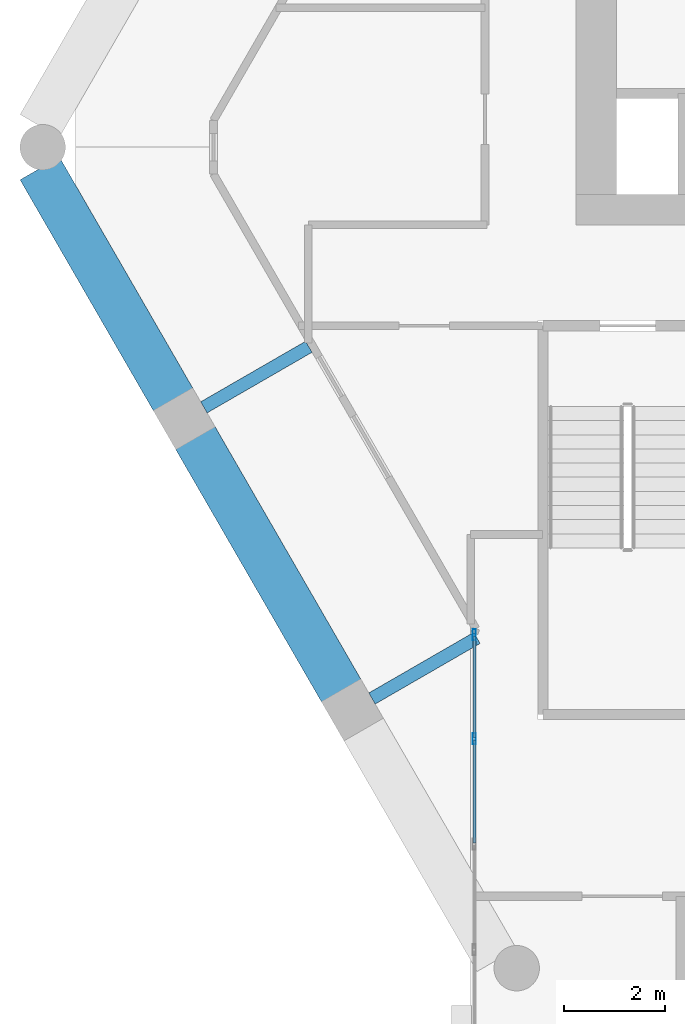
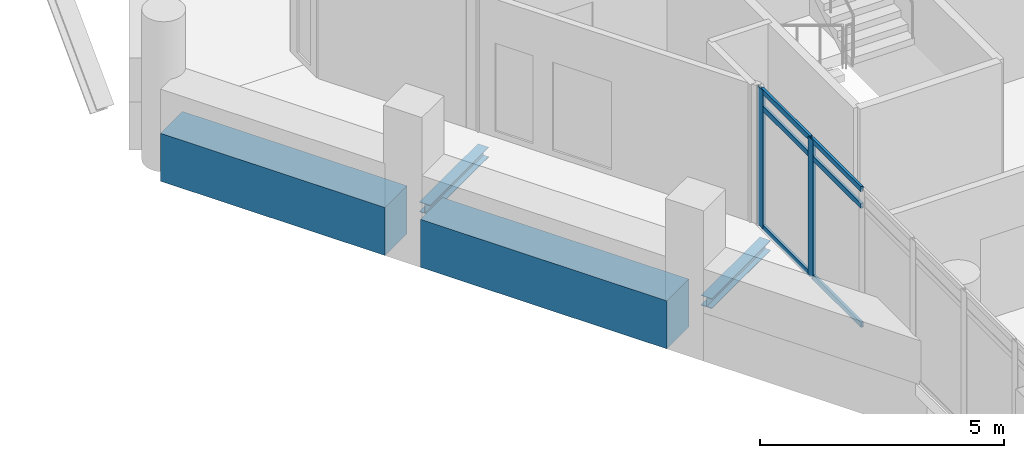
# One storey, part 13 of 34: 8 members, 4 beams, 1 element without a shape of its own.
"""IFC4 building model written with IfcOpenShell, lengths in metres."""

from ifc_helpers import new_model, si_unit, direction, frame, origin, origin_2d, place, context, subcontext, project, spatial, rectangle, hollow_rectangle, i_section, extrude, material, material_profile, profile_set, type_object, element, aggregate, save


model = new_model("IFC4")

# Units and contexts
model_context = context("Model", 3, precision=1e-05, world=origin(), true_north=direction((0.0, 1.0)))
body_context = subcontext(model_context, "Body", "Model", "MODEL_VIEW")
ifc_project = project(units=[si_unit("LENGTHUNIT", "METRE"), si_unit("AREAUNIT", "SQUARE_METRE"), si_unit("VOLUMEUNIT", "CUBIC_METRE"), si_unit("PLANEANGLEUNIT", "RADIAN"), si_unit("MASSUNIT", "GRAM", prefix="KILO")], contexts=[model_context])

# Site, building, storey
site_placement = place(None, origin())
site = spatial("IfcSite", under=ifc_project, at=site_placement, CompositionType="ELEMENT")
building_placement = place(site_placement, origin())
building = spatial("IfcBuilding", under=site, at=building_placement, Name="Ostrander Bayou Hotel Tower", CompositionType="ELEMENT")
storey_placement = place(building_placement, frame((0.0, 0.0, 222.0)))
storey = spatial("IfcBuildingStorey", under=building, at=storey_placement, Name="L55", CompositionType="ELEMENT", Elevation=222.0)

# Curtain wall, members
ifc_material_1 = material(Name="Aluminium and clear glass", Category="aluminium")
curtain_wall_type = type_object("IfcCurtainWallType", Name="CW-BAR glazed wall", PredefinedType="NOTDEFINED", material=ifc_material_1)
curtain_wall_placement = place(storey_placement, origin())
curtain_wall = element("IfcCurtainWall", 1, at=curtain_wall_placement, inside=storey, type_object=curtain_wall_type, Name="CW-BAR L55:SB5S:E", PredefinedType="NOTDEFINED")
ifc_material_2 = material(Name="Aluminium", Category="aluminium")
ifc_material_profile_1 = material_profile(ifc_material_2, hollow_rectangle(XDim=0.06005859375, YDim=0.219970703125, WallThickness=0.00390625, at=origin_2d()))
ifc_profile_set_1 = profile_set([ifc_material_profile_1], Name="Aluminium")
member_type_1 = type_object("IfcMemberType", Name="CW-BR mullion 60 x 220 mm", PredefinedType="MULLION", material=ifc_profile_set_1)
member_1_placement = place(storey_placement, frame((-10.51220703125, -9.822265625, 0.0), z_axis=(0.0, 0.0, 1.0), x_axis=(1.0, 0.0, 0.0)))
member_1 = element("IfcMember", 2, at=member_1_placement, type_object=member_type_1, Name="CW-BAR mullion 1", PredefinedType="MULLION", context=body_context, shape_type="SweptSolid", body=[
    extrude(hollow_rectangle(XDim=0.06005859375, YDim=0.219970703125, WallThickness=0.00390625, at=origin_2d()), origin(), (0.0, 0.0, 1.0), 3.449951171875),
])
member_2_placement = place(storey_placement, frame((-10.51220703125, -11.88232421875, 0.0), z_axis=(0.0, 0.0, 1.0), x_axis=(1.0, 0.0, 0.0)))
member_2 = element("IfcMember", 3, at=member_2_placement, type_object=member_type_1, Name="CW-BAR mullion 2", PredefinedType="MULLION", context=body_context, shape_type="SweptSolid", body=[
    extrude(hollow_rectangle(XDim=0.06005859375, YDim=0.219970703125, WallThickness=0.00390625, at=origin_2d()), origin(), (0.0, 0.0, 1.0), 3.449951171875),
])
ifc_material_3 = material(Name="Aluminium", Category="aluminium")
ifc_material_profile_2 = material_profile(ifc_material_3, hollow_rectangle(XDim=0.06005859375, YDim=0.1298828125, WallThickness=0.00390625, at=origin_2d()))
ifc_profile_set_2 = profile_set([ifc_material_profile_2], Name="Aluminium")
member_type_2 = type_object("IfcMemberType", Name="CW-BR transom 60 x 130 mm", PredefinedType="USERDEFINED", material=ifc_profile_set_2)
member_3_placement = place(storey_placement, frame((-10.51220703125, -9.852294921875, 0.030029296875), z_axis=(0.0, -1.0, 0.0), x_axis=(1.0, 0.0, 0.0)))
member_3 = element("IfcMember", 4, at=member_3_placement, type_object=member_type_2, Name="CW-BAR transom 1.1", ObjectType="TRANSOM", PredefinedType="USERDEFINED", context=body_context, shape_type="SweptSolid", body=[
    extrude(hollow_rectangle(XDim=0.06005859375, YDim=0.1298828125, WallThickness=0.00390625, at=origin_2d()), origin(), (0.0, 0.0, 1.0), 2.0),
])
member_4_placement = place(storey_placement, frame((-10.51220703125, -9.852294921875, 3.0), z_axis=(0.0, -1.0, 0.0), x_axis=(1.0, 0.0, 0.0)))
member_4 = element("IfcMember", 5, at=member_4_placement, type_object=member_type_2, Name="CW-BAR transom 1.2", ObjectType="TRANSOM", PredefinedType="USERDEFINED", context=body_context, shape_type="SweptSolid", body=[
    extrude(hollow_rectangle(XDim=0.06005859375, YDim=0.1298828125, WallThickness=0.00390625, at=origin_2d()), origin(), (0.0, 0.0, 1.0), 2.0),
])
member_5_placement = place(storey_placement, frame((-10.51220703125, -9.852294921875, 3.419921875), z_axis=(0.0, -1.0, 0.0), x_axis=(1.0, 0.0, 0.0)))
member_5 = element("IfcMember", 6, at=member_5_placement, type_object=member_type_2, Name="CW-BAR transom 1.3", ObjectType="TRANSOM", PredefinedType="USERDEFINED", context=body_context, shape_type="SweptSolid", body=[
    extrude(hollow_rectangle(XDim=0.06005859375, YDim=0.1298828125, WallThickness=0.00390625, at=origin_2d()), origin(), (0.0, 0.0, 1.0), 2.0),
])
member_6_placement = place(storey_placement, frame((-10.51220703125, -11.912353515625, 0.030029296875), z_axis=(0.0, -1.0, 0.0), x_axis=(1.0, 0.0, 0.0)))
member_6 = element("IfcMember", 7, at=member_6_placement, type_object=member_type_2, Name="CW-BAR transom 2.1", ObjectType="TRANSOM", PredefinedType="USERDEFINED", context=body_context, shape_type="SweptSolid", body=[
    extrude(hollow_rectangle(XDim=0.06005859375, YDim=0.1298828125, WallThickness=0.00390625, at=origin_2d()), origin(), (0.0, 0.0, 1.0), 2.030029296875),
])
member_7_placement = place(storey_placement, frame((-10.51220703125, -11.912353515625, 3.0), z_axis=(0.0, -1.0, 0.0), x_axis=(1.0, 0.0, 0.0)))
member_7 = element("IfcMember", 8, at=member_7_placement, type_object=member_type_2, Name="CW-BAR transom 2.2", ObjectType="TRANSOM", PredefinedType="USERDEFINED", context=body_context, shape_type="SweptSolid", body=[
    extrude(hollow_rectangle(XDim=0.06005859375, YDim=0.1298828125, WallThickness=0.00390625, at=origin_2d()), origin(), (0.0, 0.0, 1.0), 2.030029296875),
])
member_8_placement = place(storey_placement, frame((-10.51220703125, -11.912353515625, 3.419921875), z_axis=(0.0, -1.0, 0.0), x_axis=(1.0, 0.0, 0.0)))
member_8 = element("IfcMember", 9, at=member_8_placement, type_object=member_type_2, Name="CW-BAR transom 2.3", ObjectType="TRANSOM", PredefinedType="USERDEFINED", context=body_context, shape_type="SweptSolid", body=[
    extrude(hollow_rectangle(XDim=0.06005859375, YDim=0.1298828125, WallThickness=0.00390625, at=origin_2d()), origin(), (0.0, 0.0, 1.0), 2.030029296875),
])
aggregate(curtain_wall, [member_1, member_2, member_3, member_4, member_5, member_6, member_7, member_8])

# Beams
ifc_material_4 = material(Name="Steel ASTM A992", Category="steel")
ifc_material_profile_3 = material_profile(ifc_material_4, i_section(OverallWidth=0.25390625, OverallDepth=0.25341796875, WebThickness=0.008544921875, FlangeThickness=0.01416015625, at=origin_2d()))
ifc_profile_set_3 = profile_set([ifc_material_profile_3], Name="Steel ASTM A992")
beam_type_1 = type_object("IfcBeamType", Name="LB2 loggia bracket W10x49", PredefinedType="BEAM", material=ifc_profile_set_3)
for number, where, z_axis, x_axis, name in (
    (10, (-15.867431640625, -5.316650390625, -0.4267578125), (0.866024647952, 0.500001309137, 0.0), (-0.500001309137, 0.866024647952, 0.0), "LB2 L55 SW1"),
    (11, (-12.5380859375, -11.083251953125, -0.4267578125), (0.866024647952, 0.500001309137, 0.0), (-0.500001309137, 0.866024647952, 0.0), "LB2 L55 SW2"),
):
    element("IfcBeam", number, at=place(storey_placement, frame(where, z_axis=z_axis, x_axis=x_axis)), inside=storey, type_object=beam_type_1, Name=name, PredefinedType="BEAM", context=body_context, shape_type="SweptSolid", body=[
        extrude(i_section(OverallWidth=0.25390625, OverallDepth=0.25341796875, WebThickness=0.008544921875, FlangeThickness=0.01416015625, at=origin_2d()), origin(), (0.0, 0.0, 1.0), 2.39990234375),
    ])
ifc_material_5 = material(Name="Concrete f'c 60 MPa", Category="concrete")
ifc_material_profile_4 = material_profile(ifc_material_5, rectangle(XDim=0.89990234375, YDim=1.199951171875, at=origin_2d()))
ifc_profile_set_4 = profile_set([ifc_material_profile_4], Name="Concrete f'c 60 MPa")
beam_type_2 = type_object("IfcBeamType", Name="SP4 spandrel beam 900 x 1200 mm f'c 60 MPa", PredefinedType="SPANDREL", material=ifc_profile_set_4)
beam_1_placement = place(storey_placement, frame((-19.11865234375, -0.585693359375, -0.60009765625), z_axis=(0.500001430823, -0.866024577697, 0.0), x_axis=(0.866024577697, 0.500001430823, 0.0)))
element("IfcBeam", 12, at=beam_1_placement, inside=storey, type_object=beam_type_2, Name="SP4 L55 SW-1", PredefinedType="SPANDREL", context=body_context, shape_type="SweptSolid", body=[
    extrude(rectangle(XDim=0.89990234375, YDim=1.199951171875, at=origin_2d()), origin(), (0.0, 0.0, 1.0), 5.302734375),
])
beam_2_placement = place(storey_placement, frame((-16.047119140625, -5.905517578125, -0.60009765625), z_axis=(0.500015433515, -0.866016493057, 0.0), x_axis=(0.866016493057, 0.500015433515, 0.0)))
element("IfcBeam", 13, at=beam_2_placement, inside=storey, type_object=beam_type_2, Name="SP4 L55 SW-2", PredefinedType="SPANDREL", context=body_context, shape_type="SweptSolid", body=[
    extrude(rectangle(XDim=0.89990234375, YDim=1.199951171875, at=origin_2d()), origin(), (0.0, 0.0, 1.0), 5.818603515625),
])

save(model, "model.ifc")
